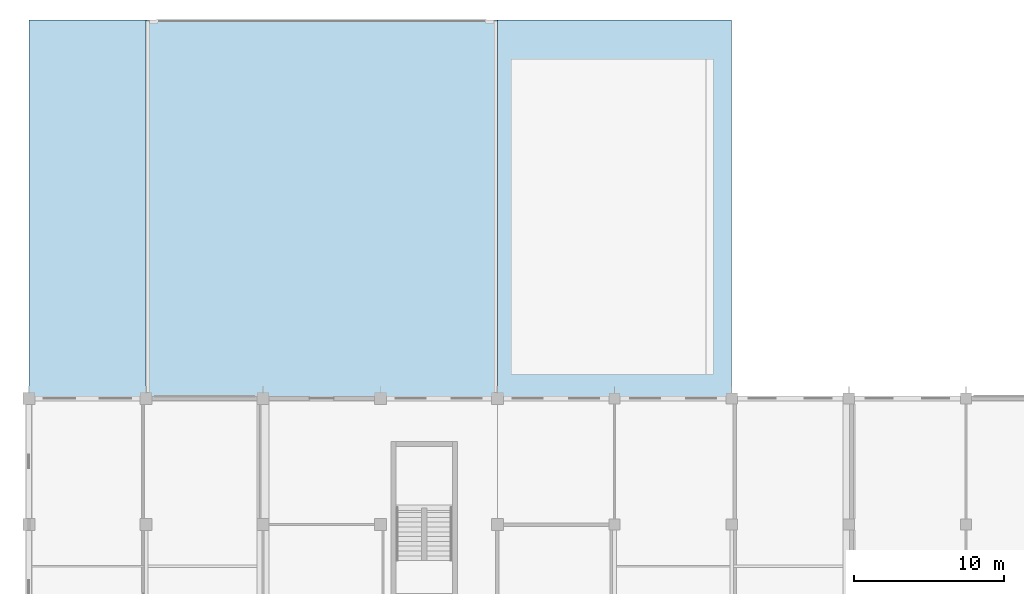
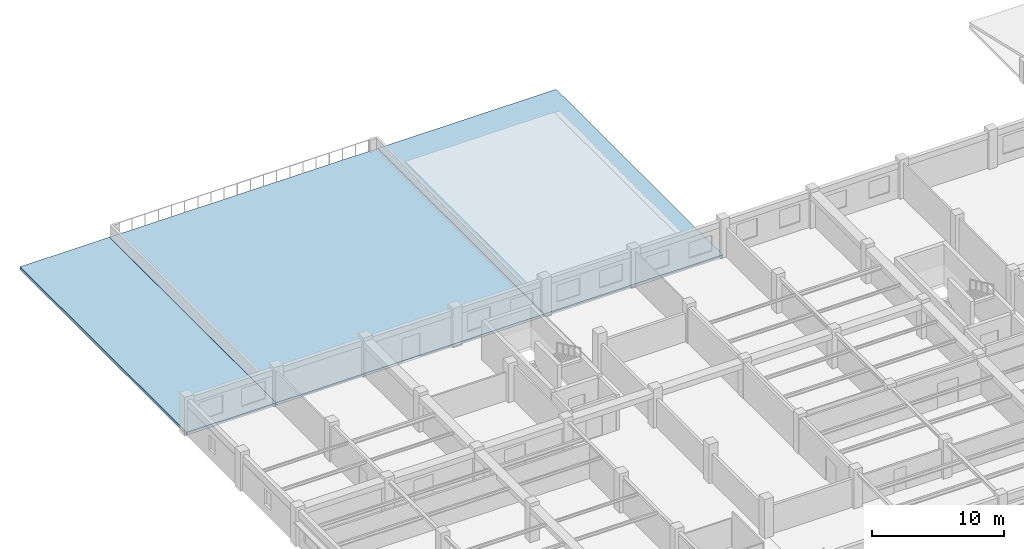
# One storey, part 30 of 50: 3 slabs.
"""IFC4 building model written with IfcOpenShell, lengths in metres."""

from ifc_helpers import new_model, si_unit, direction, frame, origin, place, context, subcontext, project, spatial, polyline, outline, extrude, material, layer, layer_set, type_object, element, save


model = new_model("IFC4")

# Units and contexts
model_context = context("Model", 3, precision=1e-05, world=origin(), true_north=direction((0.0, 1.0)))
body_context = subcontext(model_context, "Body", "Model", "MODEL_VIEW")
ifc_project = project(units=[si_unit("LENGTHUNIT", "METRE"), si_unit("AREAUNIT", "SQUARE_METRE"), si_unit("VOLUMEUNIT", "CUBIC_METRE"), si_unit("PLANEANGLEUNIT", "RADIAN"), si_unit("MASSUNIT", "GRAM", prefix="KILO"), si_unit("THERMODYNAMICTEMPERATUREUNIT", "KELVIN"), si_unit("POWERUNIT", "WATT")], contexts=[model_context])

# Site, building, storey
site_placement = place(None, origin())
site = spatial("IfcSite", under=ifc_project, at=site_placement, CompositionType="ELEMENT")
building_placement = place(site_placement, origin())
building = spatial("IfcBuilding", under=site, at=building_placement, Name="Srebrne Nadtorze General Hospital", CompositionType="ELEMENT")
storey_placement = place(building_placement, frame((0.0, 0.0, 14.39990234375)))
storey = spatial("IfcBuildingStorey", under=building, at=storey_placement, Name="L03", CompositionType="ELEMENT", Elevation=14.39990234375)

# Slabs
ifc_material_1 = material(Name="Concrete C35/45", Category="concrete")
ifc_layer_1 = layer(ifc_material_1, 0.27001953125)
ifc_layer_set_1 = layer_set([ifc_layer_1], Name="Concrete C35/45")
slab_type_1 = type_object("IfcSlabType", Name="Main roof slab 270", PredefinedType="ROOF", material=ifc_layer_set_1)
slab_1_placement = place(storey_placement, frame((0.0, 0.0, -0.27001953125)))
element("IfcSlab", 1, at=slab_1_placement, inside=storey, type_object=slab_type_1, Name="Volume ceiling roof slab RF-L02-01", PredefinedType="ROOF", context=body_context, shape_type="SweptSolid", body=[
    extrude(outline(polyline([(23.39990234375, 117.60009765625), (23.39990234375, 92.39990234375), (31.199951171875, 92.39990234375), (31.199951171875, 117.60009765625), (23.39990234375, 117.60009765625)])), origin(), (0.0, 0.0, 1.0), 0.27001953125),
])
slab_2_placement = place(storey_placement, frame((0.0, 0.0, -0.27001953125)))
element("IfcSlab", 2, at=slab_2_placement, inside=storey, type_object=slab_type_1, Name="Volume ceiling roof slab RF-L02-02", PredefinedType="ROOF", context=body_context, shape_type="SweptSolid", body=[
    extrude(outline(polyline([(54.60009765625, 117.60009765625), (54.60009765625, 92.39990234375), (70.199951171875, 92.39990234375), (70.199951171875, 117.60009765625), (54.60009765625, 117.60009765625)])), origin(), (0.0, 0.0, 1.0), 0.27001953125),
])
ifc_material_2 = material(Name="Concrete C35/45", Category="concrete")
ifc_layer_2 = layer(ifc_material_2, 0.2451171875)
ifc_layer_set_2 = layer_set([ifc_layer_2], Name="Concrete C35/45")
slab_type_2 = type_object("IfcSlabType", Name="Terrace slab 245", PredefinedType="FLOOR", material=ifc_layer_set_2)
slab_3_placement = place(storey_placement, frame((0.0, 0.0, -0.244873046875)))
element("IfcSlab", 3, at=slab_3_placement, inside=storey, type_object=slab_type_2, Name="Engawa Roof Garden slab TR-L03-NW", PredefinedType="FLOOR", context=body_context, shape_type="SweptSolid", body=[
    extrude(outline(polyline([(31.199951171875, 92.39990234375), (54.60009765625, 92.39990234375), (54.60009765625, 117.60009765625), (31.199951171875, 117.60009765625), (31.199951171875, 92.39990234375)])), origin(), (0.0, 0.0, 1.0), 0.244873046875),
])

save(model, "model.ifc")
